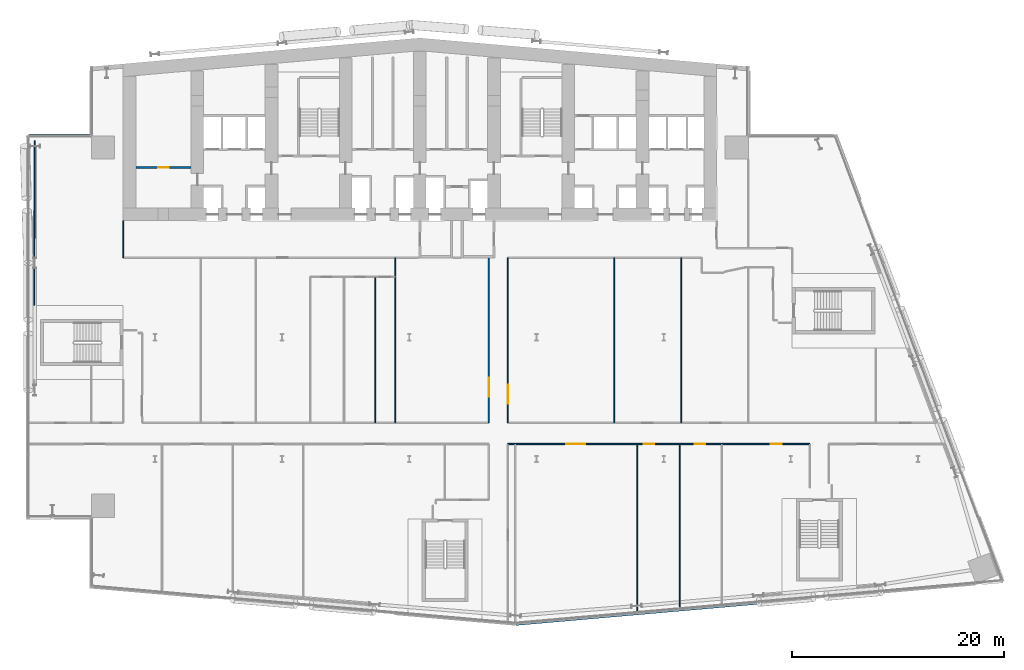
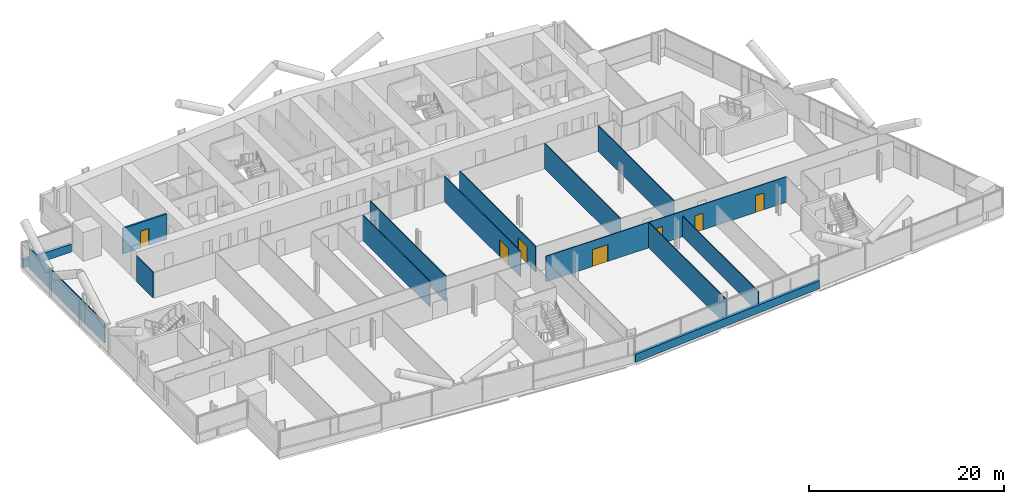
# One storey, part 14 of 27: 15 walls, 7 doors, 7 openings.
"""IFC4 building model written with IfcOpenShell, lengths in metres."""

from ifc_helpers import new_model, si_unit, direction, frame, frame_2d, origin, place, context, subcontext, project, spatial, rectangle, extrude, material, layer, layer_set, type_object, element, fill, save


model = new_model("IFC4")

# Units and contexts
model_context = context("Model", 3, precision=1e-05, world=origin(), true_north=direction((0.0, 1.0)))
body_context = subcontext(model_context, "Body", "Model", "MODEL_VIEW")
ifc_project = project(units=[si_unit("LENGTHUNIT", "METRE"), si_unit("AREAUNIT", "SQUARE_METRE"), si_unit("VOLUMEUNIT", "CUBIC_METRE"), si_unit("PLANEANGLEUNIT", "RADIAN"), si_unit("MASSUNIT", "GRAM", prefix="KILO")], contexts=[model_context])

# Site, building, storey
site_placement = place(None, origin())
site = spatial("IfcSite", under=ifc_project, at=site_placement, CompositionType="ELEMENT")
building_placement = place(site_placement, origin())
building = spatial("IfcBuilding", under=site, at=building_placement, Name="Wharfspan Tower", CompositionType="ELEMENT")
storey_placement = place(building_placement, frame((0.0, 0.0, 84.699951)))
storey = spatial("IfcBuildingStorey", under=building, at=storey_placement, Name="L18", CompositionType="ELEMENT", Elevation=84.699951)

# Walls
ifc_material_1 = material(Name="Gypsum board on steel studs", Category="steel")
ifc_layer_1 = layer(ifc_material_1, 0.100098)
ifc_layer_set_1 = layer_set([ifc_layer_1], Name="Gypsum board on steel studs")
wall_type_1 = type_object("IfcWallType", Name="Compartment wall 100 EI 60", PredefinedType="PARTITIONING", material=ifc_layer_set_1)
wall_1_placement = place(storey_placement, frame((9.0, 30.5, 0.0), z_axis=(0.0, 0.0, 1.0), x_axis=(0.0, 1.0, 0.0)))
element("IfcWall", 1, at=wall_1_placement, inside=storey, type_object=wall_type_1, Name="Partition L18.w008", PredefinedType="PARTITIONING", context=body_context, shape_type="SweptSolid", body=[
    extrude(rectangle(XDim=3.47998, YDim=0.100098, at=frame_2d((1.73999, 0.0))), origin(), (0.0, 0.0, 1.0), 3.199951),
])
wall_2_placement = place(storey_placement, frame((32.77002, 14.929932, 0.0), z_axis=(0.0, 0.0, 1.0), x_axis=(0.0, 1.0, 0.0)))
element("IfcWall", 2, at=wall_2_placement, inside=storey, type_object=wall_type_1, Name="Partition L18.w022", PredefinedType="PARTITIONING", context=body_context, shape_type="SweptSolid", body=[
    extrude(rectangle(XDim=13.77002, YDim=0.100098, at=frame_2d((6.88501, 0.0))), origin(), (0.0, 0.0, 1.0), 3.199951),
])
wall_3_placement = place(storey_placement, frame((34.669922, 14.929932, 0.0), z_axis=(0.0, 0.0, 1.0), x_axis=(0.0, 1.0, 0.0)))
element("IfcWall", 3, at=wall_3_placement, inside=storey, type_object=wall_type_1, Name="Partition L18.w024", PredefinedType="PARTITIONING", context=body_context, shape_type="SweptSolid", body=[
    extrude(rectangle(XDim=15.560059, YDim=0.100098, at=frame_2d((7.780029, 0.0))), origin(), (0.0, 0.0, 1.0), 3.199951),
])

# Wall, opening, door
wall_4_placement = place(storey_placement, frame((43.5, 14.929932, 0.0), z_axis=(0.0, 0.0, 1.0), x_axis=(0.0, 1.0, 0.0)))
wall_4 = element("IfcWall", 4, at=wall_4_placement, inside=storey, type_object=wall_type_1, Name="Partition L18.w030", PredefinedType="PARTITIONING", context=body_context, shape_type="SweptSolid", body=[
    extrude(rectangle(XDim=15.570068, YDim=0.100098, at=frame_2d((7.785156, 0.0))), origin(), (0.0, 0.0, 1.0), 3.199951),
])
opening_1_placement = place(wall_4_placement, frame((2.449951, 0.0, 0.0)))
opening_1 = element("IfcOpeningElement", 5, at=opening_1_placement, cuts=wall_4, Name="Opening A5-20", PredefinedType="OPENING", context=body_context, shape_type="SweptSolid", body=[
    extrude(rectangle(XDim=1.800049, YDim=2.100098, at=frame_2d((0.899902, 1.050049))), frame((0.0, 0.060059, 0.0), z_axis=(0.0, -1.0, 0.0), x_axis=(1.0, 0.0, 0.0)), (0.0, 0.0, 1.0), 0.120117),
])
ifc_material_2 = material(Name="Fire-rated timber door leaf in steel frame", Category="steel")
door_type_1 = type_object("IfcDoorType", Name="Door 1800 FD30S Double", OperationType="DOUBLE_DOOR_SINGLE_SWING", PredefinedType="DOOR", material=ifc_material_2)
door_1_placement = place(opening_1_placement, origin())
door_1 = element("IfcDoor", 6, at=door_1_placement, inside=storey, type_object=door_type_1, Name="Door A5-20", OperationType="DOUBLE_DOOR_SINGLE_SWING", OverallHeight=2.100098, OverallWidth=1.800049, PredefinedType="DOOR", context=body_context, shape_type="SweptSolid", body=[
    extrude(rectangle(XDim=1.800049, YDim=2.100098, at=frame_2d((0.899902, 1.050049))), frame((0.0, 0.024902, 0.0), z_axis=(0.0, -1.0, 0.0), x_axis=(1.0, 0.0, 0.0)), (0.0, 0.0, 1.0), 0.050049),
])
fill(opening_1, door_1)

# Wall, openings, doors
wall_5_placement = place(storey_placement, frame((45.300049, 12.925049, 0.0), z_axis=(0.0, 0.0, 1.0), x_axis=(1.0, 0.0, 0.0)))
wall_5 = element("IfcWall", 7, at=wall_5_placement, inside=storey, type_object=wall_type_1, Name="Partition L18.w032", PredefinedType="PARTITIONING", context=body_context, shape_type="SweptSolid", body=[
    extrude(rectangle(XDim=28.48999, YDim=0.100098, at=frame_2d((14.245117, 0.0))), origin(), (0.0, 0.0, 1.0), 3.199951),
])
opening_2_placement = place(wall_5_placement, frame((5.524902, 0.0, 0.0)))
opening_2 = element("IfcOpeningElement", 8, at=opening_2_placement, cuts=wall_5, Name="Opening A5-07", PredefinedType="OPENING", context=body_context, shape_type="SweptSolid", body=[
    extrude(rectangle(XDim=1.800049, YDim=2.100098, at=frame_2d((0.899902, 1.050049))), frame((0.0, 0.060059, 0.0), z_axis=(0.0, -1.0, 0.0), x_axis=(1.0, 0.0, 0.0)), (0.0, 0.0, 1.0), 0.120117),
])
opening_3_placement = place(wall_5_placement, frame((12.824951, 0.0, 0.0)))
opening_3 = element("IfcOpeningElement", 9, at=opening_3_placement, cuts=wall_5, Name="Opening A5-08", PredefinedType="OPENING", context=body_context, shape_type="SweptSolid", body=[
    extrude(rectangle(XDim=1.0, YDim=2.100098, at=frame_2d((0.5, 1.050049))), frame((0.0, 0.060059, 0.0), z_axis=(0.0, -1.0, 0.0), x_axis=(1.0, 0.0, 0.0)), (0.0, 0.0, 1.0), 0.120117),
])
opening_4_placement = place(wall_5_placement, frame((17.625, 0.0, 0.0)))
opening_4 = element("IfcOpeningElement", 10, at=opening_4_placement, cuts=wall_5, Name="Opening A5-09", PredefinedType="OPENING", context=body_context, shape_type="SweptSolid", body=[
    extrude(rectangle(XDim=1.0, YDim=2.100098, at=frame_2d((0.5, 1.050049))), frame((0.0, 0.060059, 0.0), z_axis=(0.0, -1.0, 0.0), x_axis=(1.0, 0.0, 0.0)), (0.0, 0.0, 1.0), 0.120117),
])
opening_5_placement = place(wall_5_placement, frame((24.824951, 0.0, 0.0)))
opening_5 = element("IfcOpeningElement", 11, at=opening_5_placement, cuts=wall_5, Name="Opening A5-10", PredefinedType="OPENING", context=body_context, shape_type="SweptSolid", body=[
    extrude(rectangle(XDim=1.0, YDim=2.100098, at=frame_2d((0.5, 1.050049))), frame((0.0, 0.060059, 0.0), z_axis=(0.0, -1.0, 0.0), x_axis=(1.0, 0.0, 0.0)), (0.0, 0.0, 1.0), 0.120117),
])
door_type_2 = type_object("IfcDoorType", Name="Door 1000 FD30S Left", OperationType="SINGLE_SWING_LEFT", PredefinedType="DOOR", material=ifc_material_2)
door_2_placement = place(opening_3_placement, origin())
door_2 = element("IfcDoor", 12, at=door_2_placement, inside=storey, type_object=door_type_2, Name="Door A5-08", OperationType="SINGLE_SWING_LEFT", OverallHeight=2.100098, OverallWidth=1.0, PredefinedType="DOOR", context=body_context, shape_type="SweptSolid", body=[
    extrude(rectangle(XDim=1.0, YDim=2.100098, at=frame_2d((0.5, 1.050049))), frame((0.0, 0.024902, 0.0), z_axis=(0.0, -1.0, 0.0), x_axis=(1.0, 0.0, 0.0)), (0.0, 0.0, 1.0), 0.050049),
])
fill(opening_3, door_2)
door_type_3 = type_object("IfcDoorType", Name="Door 1000 FD30S Right", OperationType="SINGLE_SWING_RIGHT", PredefinedType="DOOR", material=ifc_material_2)
door_3_placement = place(opening_4_placement, origin())
door_3 = element("IfcDoor", 13, at=door_3_placement, inside=storey, type_object=door_type_3, Name="Door A5-09", OperationType="SINGLE_SWING_RIGHT", OverallHeight=2.100098, OverallWidth=1.0, PredefinedType="DOOR", context=body_context, shape_type="SweptSolid", body=[
    extrude(rectangle(XDim=1.0, YDim=2.100098, at=frame_2d((0.5, 1.050049))), frame((0.0, 0.024902, 0.0), z_axis=(0.0, -1.0, 0.0), x_axis=(1.0, 0.0, 0.0)), (0.0, 0.0, 1.0), 0.050049),
])
fill(opening_4, door_3)
door_4_placement = place(opening_5_placement, origin())
door_4 = element("IfcDoor", 14, at=door_4_placement, inside=storey, type_object=door_type_3, Name="Door A5-10", OperationType="SINGLE_SWING_RIGHT", OverallHeight=2.100098, OverallWidth=1.0, PredefinedType="DOOR", context=body_context, shape_type="SweptSolid", body=[
    extrude(rectangle(XDim=1.0, YDim=2.100098, at=frame_2d((0.5, 1.050049))), frame((0.0, 0.024902, 0.0), z_axis=(0.0, -1.0, 0.0), x_axis=(1.0, 0.0, 0.0)), (0.0, 0.0, 1.0), 0.050049),
])
fill(opening_5, door_4)
door_5_placement = place(opening_2_placement, origin())
door_5 = element("IfcDoor", 15, at=door_5_placement, inside=storey, type_object=door_type_1, Name="Door A5-07", OperationType="DOUBLE_DOOR_SINGLE_SWING", OverallHeight=2.100098, OverallWidth=1.800049, PredefinedType="DOOR", context=body_context, shape_type="SweptSolid", body=[
    extrude(rectangle(XDim=1.800049, YDim=2.100098, at=frame_2d((0.899902, 1.050049))), frame((0.0, 0.024902, 0.0), z_axis=(0.0, -1.0, 0.0), x_axis=(1.0, 0.0, 0.0)), (0.0, 0.0, 1.0), 0.050049),
])
fill(opening_2, door_5)

# Wall, opening, door
wall_6_placement = place(storey_placement, frame((45.300049, 14.929932, 0.0), z_axis=(0.0, 0.0, 1.0), x_axis=(0.0, 1.0, 0.0)))
wall_6 = element("IfcWall", 16, at=wall_6_placement, inside=storey, type_object=wall_type_1, Name="Partition L18.w033", PredefinedType="PARTITIONING", context=body_context, shape_type="SweptSolid", body=[
    extrude(rectangle(XDim=15.570068, YDim=0.100098, at=frame_2d((7.785156, 0.0))), origin(), (0.0, 0.0, 1.0), 3.199951),
])
opening_6_placement = place(wall_6_placement, frame((1.784912, 0.0, 0.0)))
opening_6 = element("IfcOpeningElement", 17, at=opening_6_placement, cuts=wall_6, Name="Opening A5-19", PredefinedType="OPENING", context=body_context, shape_type="SweptSolid", body=[
    extrude(rectangle(XDim=1.800049, YDim=2.100098, at=frame_2d((0.899902, 1.050049))), frame((0.0, 0.060059, 0.0), z_axis=(0.0, -1.0, 0.0), x_axis=(1.0, 0.0, 0.0)), (0.0, 0.0, 1.0), 0.120117),
])
door_6_placement = place(opening_6_placement, origin())
door_6 = element("IfcDoor", 18, at=door_6_placement, inside=storey, type_object=door_type_1, Name="Door A5-19", OperationType="DOUBLE_DOOR_SINGLE_SWING", OverallHeight=2.100098, OverallWidth=1.800049, PredefinedType="DOOR", context=body_context, shape_type="SweptSolid", body=[
    extrude(rectangle(XDim=1.800049, YDim=2.100098, at=frame_2d((0.899902, 1.050049))), frame((0.0, 0.024902, 0.0), z_axis=(0.0, -1.0, 0.0), x_axis=(1.0, 0.0, 0.0)), (0.0, 0.0, 1.0), 0.050049),
])
fill(opening_6, door_6)

# Walls
wall_7_placement = place(storey_placement, frame((55.334961, 14.929932, 0.0), z_axis=(0.0, 0.0, 1.0), x_axis=(0.0, 1.0, 0.0)))
element("IfcWall", 19, at=wall_7_placement, inside=storey, type_object=wall_type_1, Name="Partition L18.w037", PredefinedType="PARTITIONING", context=body_context, shape_type="SweptSolid", body=[
    extrude(rectangle(XDim=15.570068, YDim=0.100098, at=frame_2d((7.785156, 0.0))), origin(), (0.0, 0.0, 1.0), 3.199951),
])
wall_8_placement = place(storey_placement, frame((57.5, -2.998291, 0.0), z_axis=(0.0, 0.0, 1.0), x_axis=(0.0, 1.0, 0.0)))
element("IfcWall", 20, at=wall_8_placement, inside=storey, type_object=wall_type_1, Name="Partition L18.w038", PredefinedType="PARTITIONING", context=body_context, shape_type="SweptSolid", body=[
    extrude(rectangle(XDim=15.92334, YDim=0.100098, at=frame_2d((7.96167, 0.0))), origin(), (0.0, 0.0, 1.0), 3.199951),
])
wall_9_placement = place(storey_placement, frame((61.5, -2.648193, 0.0), z_axis=(0.0, 0.0, 1.0), x_axis=(0.0, 1.0, 0.0)))
element("IfcWall", 21, at=wall_9_placement, inside=storey, type_object=wall_type_1, Name="Partition L18.w039", PredefinedType="PARTITIONING", context=body_context, shape_type="SweptSolid", body=[
    extrude(rectangle(XDim=15.573242, YDim=0.100098, at=frame_2d((7.786621, 0.0))), origin(), (0.0, 0.0, 1.0), 2.580078),
])
wall_10_placement = place(storey_placement, frame((61.669922, 14.929932, 0.0), z_axis=(0.0, 0.0, 1.0), x_axis=(0.0, 1.0, 0.0)))
element("IfcWall", 22, at=wall_10_placement, inside=storey, type_object=wall_type_1, Name="Partition L18.w040", PredefinedType="PARTITIONING", context=body_context, shape_type="SweptSolid", body=[
    extrude(rectangle(XDim=15.570068, YDim=0.100098, at=frame_2d((7.785156, 0.0))), origin(), (0.0, 0.0, 1.0), 3.199951),
])

# Wall, opening, door
ifc_material_3 = material(Name="Calcium silicate masonry", Category="masonry")
ifc_layer_2 = layer(ifc_material_3, 0.199951)
ifc_layer_set_2 = layer_set([ifc_layer_2], Name="Calcium silicate masonry")
wall_type_2 = type_object("IfcWallType", Name="Core room wall 200", PredefinedType="PARTITIONING", material=ifc_layer_set_2)
wall_11_placement = place(storey_placement, frame((10.199951, 39.0, 0.0), z_axis=(0.0, 0.0, 1.0), x_axis=(1.0, 0.0, 0.0)))
wall_11 = element("IfcWall", 23, at=wall_11_placement, inside=storey, type_object=wall_type_2, Name="sw:L18:RM0", PredefinedType="PARTITIONING", context=body_context, shape_type="SweptSolid", body=[
    extrude(rectangle(XDim=5.199951, YDim=0.199951, at=frame_2d((2.600098, 0.0))), origin(), (0.0, 0.0, 1.0), 3.199951),
])
opening_7_placement = place(wall_11_placement, frame((2.100098, 0.0, 0.0)))
opening_7 = element("IfcOpeningElement", 24, at=opening_7_placement, cuts=wall_11, Name="Opening CD18.02", PredefinedType="OPENING", context=body_context, shape_type="SweptSolid", body=[
    extrude(rectangle(XDim=1.0, YDim=2.100098, at=frame_2d((0.5, 1.050049))), frame((0.0, 0.109863, 0.0), z_axis=(0.0, -1.0, 0.0), x_axis=(1.0, 0.0, 0.0)), (0.0, 0.0, 1.0), 0.219971),
])
ifc_material_4 = material(Name="Steel door leaf", Category="steel")
door_type_4 = type_object("IfcDoorType", Name="Core room door 1000x2100", OperationType="SINGLE_SWING_LEFT", PredefinedType="DOOR", material=ifc_material_4)
door_7_placement = place(opening_7_placement, origin())
door_7 = element("IfcDoor", 25, at=door_7_placement, inside=storey, type_object=door_type_4, Name="d:L18:0:rr", OperationType="SINGLE_SWING_RIGHT", OverallHeight=2.100098, OverallWidth=1.0, PredefinedType="DOOR", context=body_context, shape_type="SweptSolid", body=[
    extrude(rectangle(XDim=1.0, YDim=2.100098, at=frame_2d((0.5, 1.050049))), frame((0.0, 0.024902, 0.0), z_axis=(0.0, -1.0, 0.0), x_axis=(1.0, 0.0, 0.0)), (0.0, 0.0, 1.0), 0.050049),
])
fill(opening_7, door_7)

# Walls
ifc_layer_3 = layer(ifc_material_1, 0.100098)
ifc_layer_set_3 = layer_set([ifc_layer_3], Name="Gypsum board on steel studs")
wall_type_3 = type_object("IfcWallType", Name="Partition 100", PredefinedType="PARTITIONING", material=ifc_layer_set_3)
wall_12_placement = place(storey_placement, frame((0.629883, 26.02002, 0.0), z_axis=(0.0, 0.0, 1.0), x_axis=(0.0, 1.0, 0.0)))
element("IfcWall", 26, at=wall_12_placement, inside=storey, type_object=wall_type_3, Name="Partition L18.w004", PredefinedType="PARTITIONING", context=body_context, shape_type="SweptSolid", body=[
    extrude(rectangle(XDim=3.97998, YDim=0.100098, at=frame_2d((1.98999, 0.0))), origin(), (0.0, 0.0, 1.0), 2.580078),
])
wall_13_placement = place(storey_placement, frame((0.629883, 30.0, 0.0), z_axis=(0.0, 0.0, 1.0), x_axis=(0.00218, 0.999994, 0.0)))
element("IfcWall", 27, at=wall_13_placement, inside=storey, type_object=wall_type_3, Name="Partition L18.w005", PredefinedType="PARTITIONING", context=body_context, shape_type="SweptSolid", body=[
    extrude(rectangle(XDim=11.534912, YDim=0.100098, at=frame_2d((5.767578, 0.0))), origin(), (0.0, 0.0, 1.0), 2.580078),
])
ifc_material_5 = material(Name="Concrete C40/50", Category="concrete")
ifc_layer_4 = layer(ifc_material_5, 0.350098)
ifc_layer_set_4 = layer_set([ifc_layer_4], Name="Concrete C40/50")
wall_type_4 = type_object("IfcWallType", Name="SPANDREL EXPOSED CONCRETE 350", PredefinedType="SOLIDWALL", material=ifc_layer_set_4)
wall_14_placement = place(storey_placement, frame((46.04541, -4.025635, 0.0), z_axis=(0.0, 0.0, 1.0), x_axis=(0.99619, 0.087163, 0.0)))
element("IfcWall", 28, at=wall_14_placement, inside=storey, type_object=wall_type_4, Name="Spandrel upstand L18 S2 1", PredefinedType="SOLIDWALL", context=body_context, shape_type="SweptSolid", body=[
    extrude(rectangle(XDim=23.012695, YDim=0.350098, at=frame_2d((11.506348, 0.0))), origin(), (0.0, 0.0, 1.0), 1.0),
])
wall_15_placement = place(storey_placement, frame((5.820068, 42.004883, 0.0), z_axis=(0.0, 0.0, 1.0), x_axis=(-1.0, 0.0, 0.0)))
element("IfcWall", 29, at=wall_15_placement, inside=storey, type_object=wall_type_4, Name="Spandrel upstand L18 NRW-H", PredefinedType="SOLIDWALL", context=body_context, shape_type="SweptSolid", body=[
    extrude(rectangle(XDim=5.699951, YDim=0.350098, at=frame_2d((2.850098, 0.0))), origin(), (0.0, 0.0, 1.0), 1.0),
])

save(model, "model.ifc")
